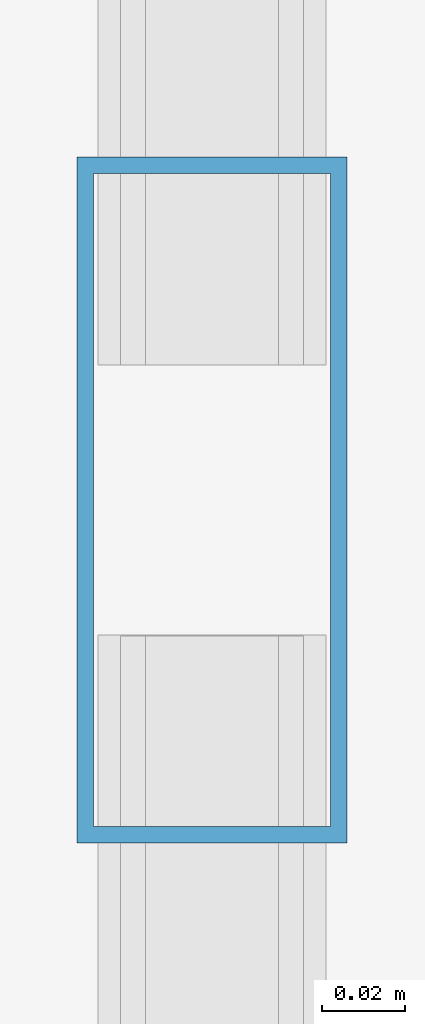
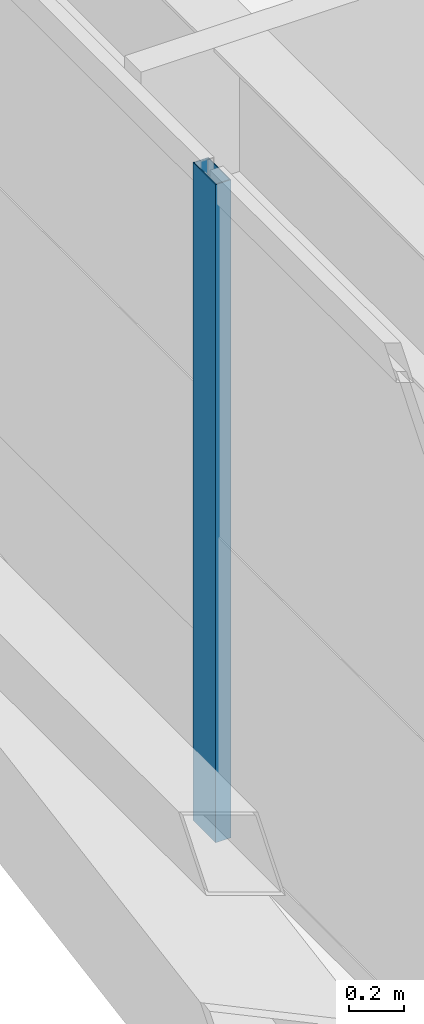
# One storey, part 16 of 58: 1 member, 1 element without a shape of its own.
"""IFC4 building model written with IfcOpenShell, lengths in metres."""

from ifc_helpers import new_model, si_unit, direction, frame, origin, origin_2d, place, context, subcontext, project, spatial, hollow_rectangle, extrude, source, transform, mapped, material, layer, layer_set, material_profile, profile_set, type_object, element, aggregate, save


model = new_model("IFC4")

# Units and contexts
model_context = context("Model", 3, precision=1e-05, world=origin(), true_north=direction((0.0, 1.0)))
body_context = subcontext(model_context, "Body", "Model", "MODEL_VIEW")
ifc_project = project(units=[si_unit("LENGTHUNIT", "METRE"), si_unit("AREAUNIT", "SQUARE_METRE"), si_unit("VOLUMEUNIT", "CUBIC_METRE"), si_unit("PLANEANGLEUNIT", "RADIAN"), si_unit("MASSUNIT", "GRAM", prefix="KILO")], contexts=[model_context])

# Site, building, storey
site_placement = place(None, origin())
site = spatial("IfcSite", under=ifc_project, at=site_placement, CompositionType="ELEMENT")
building_placement = place(site_placement, origin())
building = spatial("IfcBuilding", under=site, at=building_placement, Name="Taldren Reach Tower", CompositionType="ELEMENT")
storey_placement = place(building_placement, frame((0.0, 0.0, 32.550048828125)))
storey = spatial("IfcBuildingStorey", under=building, at=storey_placement, Name="L09", CompositionType="ELEMENT", Elevation=32.550048828125)

# Curtain wall, member
ifc_material_1 = material(Name="Aluminium and Low-E Glass Unitised System", Category="aluminium")
ifc_layer = layer(ifc_material_1, 0.159912109375)
ifc_layer_set = layer_set([ifc_layer], Name="Aluminium and Low-E Glass Unitised System")
curtain_wall_type = type_object("IfcCurtainWallType", Name="CW-SYS-2", PredefinedType="NOTDEFINED", material=ifc_layer_set)
curtain_wall_placement = place(storey_placement, origin())
curtain_wall = element("IfcCurtainWall", 1, at=curtain_wall_placement, inside=storey, type_object=curtain_wall_type, Name="Unitised curtain wall CW-L09-W", PredefinedType="NOTDEFINED")
ifc_material_2 = material(Name="Anodised Aluminium 6063-T6", Category="aluminium")
ifc_material_profile = material_profile(ifc_material_2, hollow_rectangle(XDim=0.06494140625, YDim=0.1650390625, WallThickness=0.00390625, at=origin_2d()), Name="ALU-165x65x4RHS")
ifc_profile_set = profile_set([ifc_material_profile], Name="Anodised Aluminium 6063-T6")
member_type = type_object("IfcMemberType", Name="CW-MUL-165", PredefinedType="MULLION", material=ifc_profile_set)
shared_shape = source(origin(), body_context, "Body", "SweptSolid", [
    extrude(hollow_rectangle(XDim=0.06494140625, YDim=0.1650390625, WallThickness=0.00390625, at=origin_2d()), origin(), (0.0, 0.0, 1.0), 2.929931640625),
])
member_placement = place(storey_placement, frame((5.139892578125, 25.166748046875, 0.0), z_axis=(0.0, 0.0, 1.0), x_axis=(1.0, 0.0, 0.0)))
member = element("IfcMember", 2, at=member_placement, type_object=member_type, Name="CW-2 mullion 4", PredefinedType="MULLION", context=body_context, shape_type="MappedRepresentation", body=[
    mapped(shared_shape, transform((0.0, 0.0, 0.0), scale=1.0)),
])
aggregate(curtain_wall, [member])

save(model, "model.ifc")
